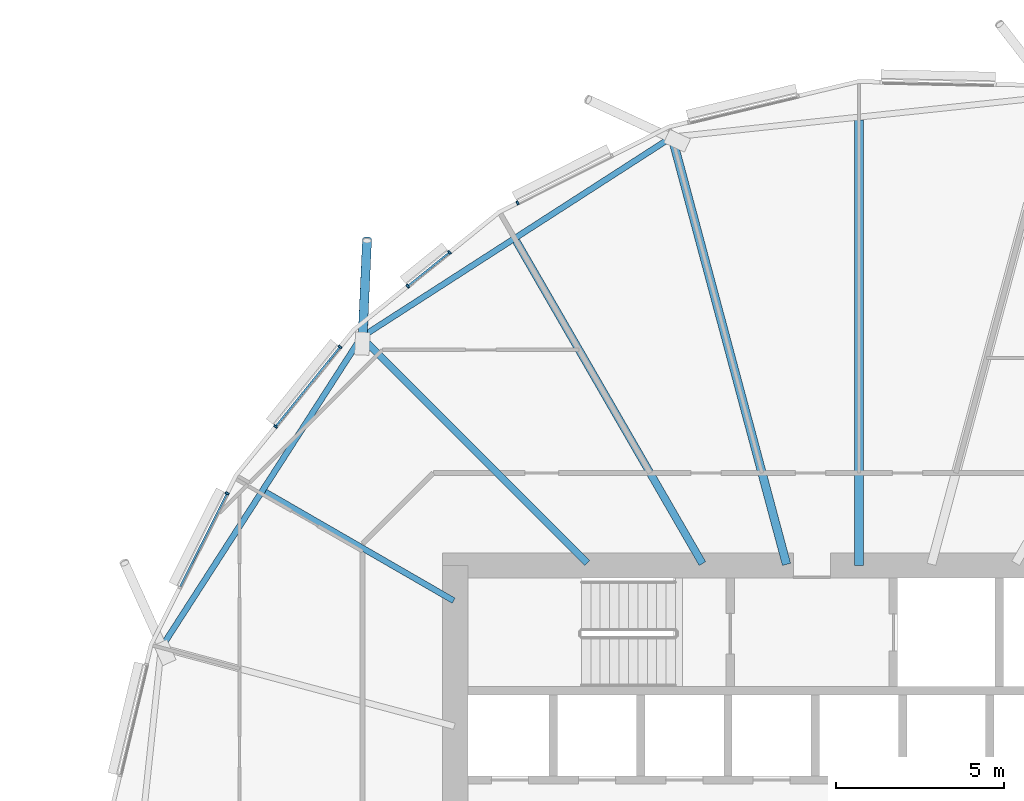
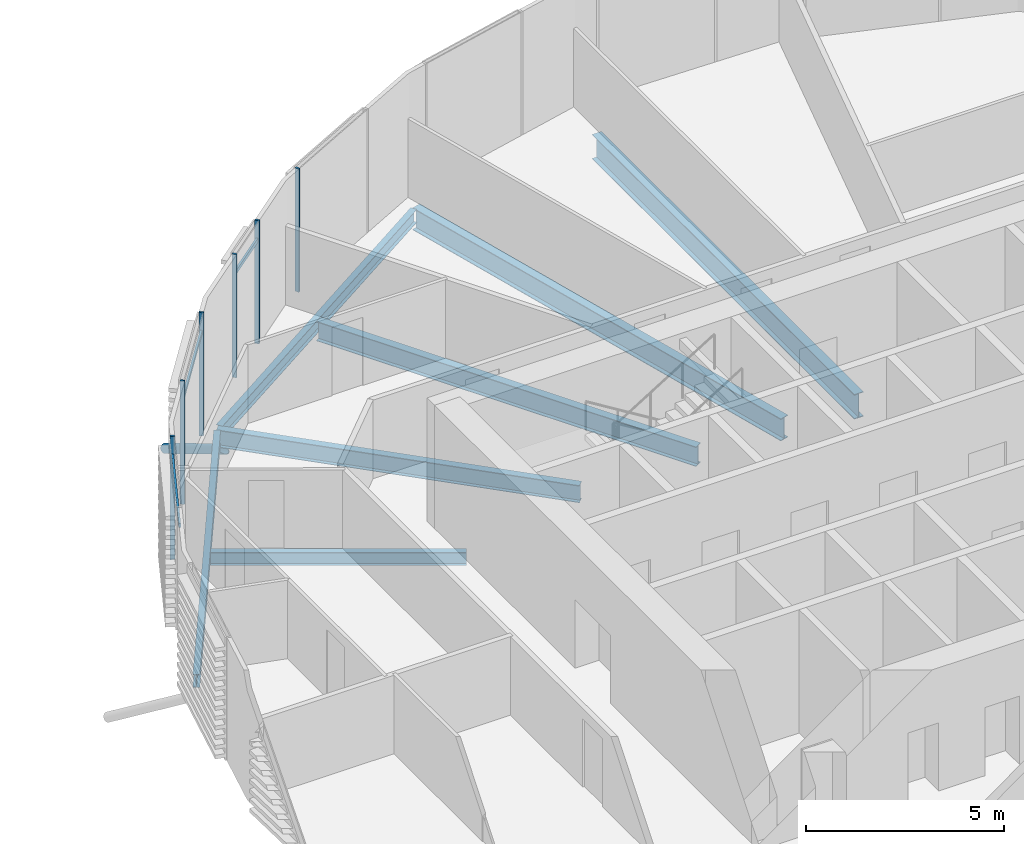
# One storey, part 17 of 42: 10 members, 7 beams, 1 element without a shape of its own.
"""IFC4 building model written with IfcOpenShell, lengths in metres."""

import ifcopenshell
import ifcopenshell.guid

model = None  # the IFC model being written
_history = None  # IfcOwnerHistory: only IFC2X3 demands one
_inside = {}  # id of a spatial element -> (the spatial element, [elements in it])
_under = {}  # id of a project, library or spatial element -> (it, [spatial elements below it])
_declared = {}  # id of a project -> (the project, [libraries it declares])
_typed = {}  # id of a type object -> (the type object, [elements of that type])
_made_of = {}  # id of a material, layer set ... -> (it, [elements and type objects made of it])


def new_model(schema):
    """Start an empty IFC model of exactly this schema.

    Asked for "IFC4X3", IfcOpenShell would pick the latest addendum, in which some entities
    have other attributes; the version numbers below select the first issue.
    IFC2X3 requires an IfcOwnerHistory on every rooted entity: one is made here for all.
    """
    global model, _history
    if schema == "IFC4X3":
        model = ifcopenshell.file(schema_version=(4, 3, 0, 0))
    else:
        model = ifcopenshell.file(schema=schema)
    _inside.clear()
    _under.clear()
    _declared.clear()
    _typed.clear()
    _made_of.clear()
    _history = None
    if model.schema == "IFC2X3":
        org = make("IfcOrganization", Name="unknown")
        user = make(
            "IfcPersonAndOrganization",
            ThePerson=make("IfcPerson", FamilyName="unknown"),
            TheOrganization=org,
        )
        app = make(
            "IfcApplication",
            ApplicationDeveloper=org,
            Version="unknown",
            ApplicationFullName="unknown",
            ApplicationIdentifier="unknown",
        )
        _history = make(
            "IfcOwnerHistory",
            OwningUser=user,
            OwningApplication=app,
            ChangeAction="ADDED",
            CreationDate=0,
        )
    return model


def make(cls, **values):
    """One entity of the class cls with the attributes given. An attribute that is None is left unset."""
    return model.create_entity(
        cls, **{name: value for name, value in values.items() if value is not None}
    )


def rooted(cls, **values):
    """An entity with a GlobalId (a new one), such as an element, a storey or a relation."""
    return make(cls, GlobalId=ifcopenshell.guid.new(), OwnerHistory=_history, **values)


def si_unit(unit_type, name, prefix=None):
    """IfcSIUnit, for example si_unit("LENGTHUNIT", "METRE", prefix="MILLI")."""
    return make("IfcSIUnit", UnitType=unit_type, Prefix=prefix, Name=name)


def assignment(units):
    """IfcUnitAssignment: the units of a project."""
    return None if units is None else make("IfcUnitAssignment", Units=units)


def point(xyz):
    """IfcCartesianPoint."""
    return None if xyz is None else make("IfcCartesianPoint", Coordinates=xyz)


def direction(xyz):
    """IfcDirection."""
    return None if xyz is None else make("IfcDirection", DirectionRatios=xyz)


def frame(location, z_axis=None, x_axis=None):
    """IfcAxis2Placement3D, a coordinate frame: its origin and axes. An axis left out is left unset."""
    return make(
        "IfcAxis2Placement3D",
        Location=point(location),
        Axis=direction(z_axis),
        RefDirection=direction(x_axis),
    )


def frame_2d(location, x_axis=None):
    """IfcAxis2Placement2D, a coordinate frame in the plane: its origin and x axis."""
    return make(
        "IfcAxis2Placement2D", Location=point(location), RefDirection=direction(x_axis)
    )


def origin():
    """The frame at (0, 0, 0) with its axes left unset."""
    return frame((0.0, 0.0, 0.0))


def origin_2d():
    """The frame at (0, 0) in the plane with its x axis left unset."""
    return frame_2d((0.0, 0.0))


def place(relative_to, where):
    """IfcLocalPlacement: puts the frame where relative to a parent placement (None: the world)."""
    return make(
        "IfcLocalPlacement", PlacementRelTo=relative_to, RelativePlacement=where
    )


def context(
    kind, dimensions, precision=None, world=None, true_north=None, identifier=None
):
    """IfcGeometricRepresentationContext, for example the 3D "Model" context."""
    return make(
        "IfcGeometricRepresentationContext",
        ContextIdentifier=identifier,
        ContextType=kind,
        CoordinateSpaceDimension=dimensions,
        Precision=precision,
        WorldCoordinateSystem=world,
        TrueNorth=true_north,
    )


def subcontext(parent, identifier, kind, view, scale=None):
    """IfcGeometricRepresentationSubContext, for example "Body" below "Model"."""
    return make(
        "IfcGeometricRepresentationSubContext",
        ContextIdentifier=identifier,
        ContextType=kind,
        ParentContext=parent,
        TargetScale=scale,
        TargetView=view,
    )


def project(units=None, contexts=None):
    """IfcProject with its units and contexts."""
    return rooted(
        "IfcProject",
        Name="project",
        RepresentationContexts=contexts,
        UnitsInContext=assignment(units),
    )


def spatial(cls, under=None, at=None, **own):
    """A site, building, storey or space (cls), placed at a placement, below another one or the project."""
    s = rooted(cls, ObjectPlacement=at, **own)
    if under is not None:
        _under.setdefault(under.id(), (under, []))[1].append(s)
    return s


def profile(cls, at=None, kind="AREA", **sizes):
    """A parametric profile (cls). Its sizes go by their IFC names, for example OverallWidth=200.0."""
    return make(cls, ProfileType=kind, Position=at, **sizes)


def rectangle(**sizes):
    """IfcRectangleProfileDef."""
    return profile("IfcRectangleProfileDef", **sizes)


def hollow_circle(**sizes):
    """IfcCircleHollowProfileDef."""
    return profile("IfcCircleHollowProfileDef", **sizes)


def i_section(**sizes):
    """IfcIShapeProfileDef."""
    return profile("IfcIShapeProfileDef", **sizes)


def extrude(swept, where, along, depth):
    """IfcExtrudedAreaSolid: the profile swept, set in the frame where, extruded along a direction by depth."""
    return make(
        "IfcExtrudedAreaSolid",
        SweptArea=swept,
        Position=where,
        ExtrudedDirection=direction(along),
        Depth=depth,
    )


def clip(a, b, op="DIFFERENCE"):
    """IfcBooleanClippingResult: the solid a cut by the half space b."""
    return make(
        "IfcBooleanClippingResult", Operator=op, FirstOperand=a, SecondOperand=b
    )


def halfspace(plane, agree):
    """IfcHalfSpaceSolid: all space on one side of the plane z = 0 of the frame plane."""
    return make(
        "IfcHalfSpaceSolid",
        BaseSurface=make("IfcPlane", Position=plane),
        AgreementFlag=agree,
    )


def shape(context_of_items, identifier, shape_type, items):
    """IfcShapeRepresentation: the items that make up one representation, for example the "Body"."""
    return make(
        "IfcShapeRepresentation",
        ContextOfItems=context_of_items,
        RepresentationIdentifier=identifier,
        RepresentationType=shape_type,
        Items=items,
    )


def material(Name=None, Category=None):
    """IfcMaterial."""
    return make("IfcMaterial", Name=Name, Category=Category)


def material_profile(
    of_material, cross_section, Name=None, Category=None, Priority=None
):
    """IfcMaterialProfile: a cross section and its material."""
    return make(
        "IfcMaterialProfile",
        Name=Name,
        Material=of_material,
        Profile=cross_section,
        Priority=Priority,
        Category=Category,
    )


def profile_set(profiles, Name=None, composite=None):
    """IfcMaterialProfileSet."""
    return make(
        "IfcMaterialProfileSet",
        Name=Name,
        MaterialProfiles=profiles,
        CompositeProfile=composite,
    )


def made_of(thing, what):
    """Note that an element or type object is made of a material, layer set ...; save() writes the relation."""
    if what is not None:
        _made_of.setdefault(what.id(), (what, []))[1].append(thing)
    return thing


def type_object(cls, material=None, **own):
    """A type object (cls), such as IfcWallType, which elements share."""
    return made_of(rooted(cls, **own), material)


def element(
    cls,
    number,
    at=None,
    inside=None,
    cuts=None,
    type_object=None,
    material=None,
    context=None,
    identifier="Body",
    shape_type=None,
    held_by="IfcProductDefinitionShape",
    body=None,
    shapes=None,
    **own,
):
    """One element of the class cls, such as IfcWall. Its Tag is "e" and its number.

    at: its placement. inside: the storey or other place that contains it. cuts: it is an
    opening in that element (IfcRelVoidsElement). A single representation is given by context,
    identifier, shape_type and body (its items); several are given by shapes. held_by: the class
    of the entity that holds the representations. save() writes the other relations.
    """
    e = rooted(cls, Tag="e%d" % number, ObjectPlacement=at, **own)
    if body is not None:
        shapes = [shape(context, identifier, shape_type, body)]
    if shapes is not None:
        e.Representation = make(held_by, Representations=shapes)
    if inside is not None:
        _inside.setdefault(inside.id(), (inside, []))[1].append(e)
    if cuts is not None:
        rooted(
            "IfcRelVoidsElement", RelatingBuildingElement=cuts, RelatedOpeningElement=e
        )
    if type_object is not None:
        _typed.setdefault(type_object.id(), (type_object, []))[1].append(e)
    return made_of(e, material)


def aggregate(whole, parts):
    """IfcRelAggregates: a whole, such as a stair, and the parts it consists of."""
    return rooted("IfcRelAggregates", RelatingObject=whole, RelatedObjects=parts)


def save(model, path):
    """Write the relations noted so far, then the file.

    IfcRelAggregates (storeys below a building ...), IfcRelContainedInSpatialStructure (elements
    in a storey), IfcRelDefinesByType, IfcRelAssociatesMaterial and IfcRelDeclares: one each for
    every whole, place, type object, material and project.
    """
    for whole, parts in _under.values():
        aggregate(whole, parts)
    for where, things in _inside.values():
        rooted(
            "IfcRelContainedInSpatialStructure",
            RelatedElements=things,
            RelatingStructure=where,
        )
    for kind, things in _typed.values():
        rooted("IfcRelDefinesByType", RelatedObjects=things, RelatingType=kind)
    for what, things in _made_of.values():
        rooted("IfcRelAssociatesMaterial", RelatedObjects=things, RelatingMaterial=what)
    for by, libraries in _declared.values():
        rooted("IfcRelDeclares", RelatingContext=by, RelatedDefinitions=libraries)
    model.write(path)


model = new_model("IFC4")

# Units and contexts
model_context = context("Model", 3, precision=1e-05, world=origin(), true_north=direction((0.0, 1.0)))
body_context = subcontext(model_context, "Body", "Model", "MODEL_VIEW")
ifc_project = project(units=[si_unit("LENGTHUNIT", "METRE"), si_unit("AREAUNIT", "SQUARE_METRE"), si_unit("VOLUMEUNIT", "CUBIC_METRE"), si_unit("PLANEANGLEUNIT", "RADIAN"), si_unit("MASSUNIT", "GRAM", prefix="KILO")], contexts=[model_context])

# Site, building, storey
site_placement = place(None, origin())
site = spatial("IfcSite", under=ifc_project, at=site_placement, CompositionType="ELEMENT")
building_placement = place(site_placement, origin())
building = spatial("IfcBuilding", under=site, at=building_placement, Name="Rimbun Link Towers", CompositionType="ELEMENT")
storey_placement = place(building_placement, frame((0.0, 0.0, 85.39990234375)))
storey = spatial("IfcBuildingStorey", under=building, at=storey_placement, Name="L20", CompositionType="ELEMENT", Elevation=85.39990234375)

# Curtain wall, members
ifc_material_1 = material(Name="Aluminium 6063-T6 and low-iron glass", Category="aluminium")
curtain_wall_type = type_object("IfcCurtainWallType", Name="CW1-Z2 unitised vision wall (zone 2)", PredefinedType="NOTDEFINED", material=ifc_material_1)
curtain_wall_placement = place(storey_placement, origin())
curtain_wall = element("IfcCurtainWall", 1, at=curtain_wall_placement, inside=storey, type_object=curtain_wall_type, Name="CW1 L20 T2", PredefinedType="NOTDEFINED")
ifc_material_2 = material(Name="Aluminium 6063-T6", Category="aluminium")
ifc_material_profile_1 = material_profile(ifc_material_2, rectangle(XDim=0.1201171875, YDim=0.06005859375, at=origin_2d()), Name="MULLION 60X120")
ifc_profile_set_1 = profile_set([ifc_material_profile_1], Name="Aluminium 6063-T6")
member_type_1 = type_object("IfcMemberType", Name="CW1 mullion 60X120", PredefinedType="MULLION", material=ifc_profile_set_1)
member_1_placement = place(storey_placement, frame((21.603759765625, 18.779052734375, 0.0), z_axis=(0.0, 0.0, 1.0), x_axis=(-0.448789594585, 0.893637454336, 0.0)))
member_1 = element("IfcMember", 2, at=member_1_placement, type_object=member_type_1, Name="CW1 mullion", PredefinedType="MULLION", context=body_context, shape_type="SweptSolid", body=[
    extrude(rectangle(XDim=0.1201171875, YDim=0.06005859375, at=origin_2d()), origin(), (0.0, 0.0, 1.0), 3.800048828125),
])
member_2_placement = place(storey_placement, frame((18.339111328125, 16.302978515625, 0.0), z_axis=(0.0, 0.0, 1.0), x_axis=(-0.629159327388, 0.777276360608, 0.0)))
member_2 = element("IfcMember", 3, at=member_2_placement, type_object=member_type_1, Name="CW1 mullion", PredefinedType="MULLION", context=body_context, shape_type="SweptSolid", body=[
    extrude(rectangle(XDim=0.1201171875, YDim=0.06005859375, at=origin_2d()), origin(), (0.0, 0.0, 1.0), 3.800048828125),
])
member_3_placement = place(storey_placement, frame((19.579833984375, 17.307373046875, 0.0), z_axis=(0.0, 0.0, 1.0), x_axis=(-0.629159327388, 0.777276360608, 0.0)))
member_3 = element("IfcMember", 4, at=member_3_placement, type_object=member_type_1, Name="CW1 mullion", PredefinedType="MULLION", context=body_context, shape_type="SweptSolid", body=[
    extrude(rectangle(XDim=0.1201171875, YDim=0.06005859375, at=origin_2d()), origin(), (0.0, 0.0, 1.0), 3.800048828125),
])
member_4_placement = place(storey_placement, frame((14.4111328125, 12.13134765625, 0.0), z_axis=(0.0, 0.0, 1.0), x_axis=(-0.777276360608, 0.629159327388, 0.0)))
member_4 = element("IfcMember", 5, at=member_4_placement, type_object=member_type_1, Name="CW1 mullion", PredefinedType="MULLION", context=body_context, shape_type="SweptSolid", body=[
    extrude(rectangle(XDim=0.1201171875, YDim=0.06005859375, at=origin_2d()), origin(), (0.0, 0.0, 1.0), 3.800048828125),
])
member_5_placement = place(storey_placement, frame((16.327880859375, 14.4990234375, 0.0), z_axis=(0.0, 0.0, 1.0), x_axis=(-0.777276360608, 0.629159327388, 0.0)))
member_5 = element("IfcMember", 6, at=member_5_placement, type_object=member_type_1, Name="CW1 mullion", PredefinedType="MULLION", context=body_context, shape_type="SweptSolid", body=[
    extrude(rectangle(XDim=0.1201171875, YDim=0.06005859375, at=origin_2d()), origin(), (0.0, 0.0, 1.0), 3.800048828125),
])
member_6_placement = place(storey_placement, frame((12.970947265625, 10.146240234375, 0.0), z_axis=(0.0, 0.0, 1.0), x_axis=(-0.893637454336, 0.448789594585, 0.0)))
member_6 = element("IfcMember", 7, at=member_6_placement, type_object=member_type_1, Name="CW1 mullion", PredefinedType="MULLION", context=body_context, shape_type="SweptSolid", body=[
    extrude(rectangle(XDim=0.1201171875, YDim=0.06005859375, at=origin_2d()), origin(), (0.0, 0.0, 1.0), 3.800048828125),
])
ifc_material_3 = material(Name="Aluminium 6063-T6", Category="aluminium")
ifc_material_profile_2 = material_profile(ifc_material_3, rectangle(XDim=0.06005859375, YDim=0.1201171875, at=origin_2d()), Name="TRANSOM 60X120")
ifc_profile_set_2 = profile_set([ifc_material_profile_2], Name="Aluminium 6063-T6")
member_type_2 = type_object("IfcMemberType", Name="CW1 transom 60X120", PredefinedType="USERDEFINED", material=ifc_profile_set_2)
member_7_placement = place(storey_placement, frame((18.363525390625, 16.3203125, 3.2001953125), z_axis=(0.777337372411, 0.62908394468, 0.0), x_axis=(-0.62908394468, 0.777337372411, 0.0)))
member_7 = element("IfcMember", 8, at=member_7_placement, type_object=member_type_2, Name="CW1 transom", ObjectType="TRANSOM", PredefinedType="USERDEFINED", context=body_context, shape_type="SweptSolid", body=[
    extrude(rectangle(XDim=0.06005859375, YDim=0.1201171875, at=origin_2d()), origin(), (0.0, 0.0, 1.0), 1.536376953125),
])
member_8_placement = place(storey_placement, frame((14.431640625, 12.1533203125, 3.2001953125), z_axis=(0.629151193031, 0.77728294482, 0.0), x_axis=(-0.77728294482, 0.629151193031, 0.0)))
member_8 = element("IfcMember", 9, at=member_8_placement, type_object=member_type_2, Name="CW1 transom", ObjectType="TRANSOM", PredefinedType="USERDEFINED", context=body_context, shape_type="SweptSolid", body=[
    extrude(rectangle(XDim=0.06005859375, YDim=0.1201171875, at=origin_2d()), origin(), (0.0, 0.0, 1.0), 2.986328125),
])
member_9_placement = place(storey_placement, frame((11.58056640625, 7.373291015625, 3.2001953125), z_axis=(0.448770541337, 0.893647022727, 0.0), x_axis=(-0.893647022727, 0.448770541337, 0.0)))
member_9 = element("IfcMember", 10, at=member_9_placement, type_object=member_type_2, Name="CW1 transom", ObjectType="TRANSOM", PredefinedType="USERDEFINED", context=body_context, shape_type="SweptSolid", body=[
    extrude(rectangle(XDim=0.06005859375, YDim=0.1201171875, at=origin_2d()), origin(), (0.0, 0.0, 1.0), 3.072021484375),
])
aggregate(curtain_wall, [member_1, member_2, member_3, member_4, member_5, member_6, member_7, member_8, member_9])

# Member
ifc_material_4 = material(Name="Steel S355J2H", Category="steel")
ifc_material_profile_3 = material_profile(ifc_material_4, hollow_circle(Radius=0.136474609375, WallThickness=0.012451171875, at=origin_2d()), Name="CHS 273x12.5")
ifc_profile_set_3 = profile_set([ifc_material_profile_3], Name="Steel S355J2H")
member_type_3 = type_object("IfcMemberType", Name="Floor edge link CHS 273x12.5", PredefinedType="BRACE", material=ifc_profile_set_3)
member_10_placement = place(storey_placement, frame((16.99658203125, 14.75341796875, -0.8095703125), z_axis=(0.038546716403, 0.851204688034, -0.523416401848), x_axis=(-0.998976213421, 0.045238534671, 0.0)))
element("IfcMember", 11, at=member_10_placement, inside=storey, type_object=member_type_3, Name="Floor edge link T2 L20 06", PredefinedType="BRACE", context=body_context, shape_type="Clipping", body=[
    clip(extrude(hollow_circle(Radius=0.136474609375, WallThickness=0.012451171875, at=origin_2d()), frame((0.0, 0.0, -0.46337890625)), (0.0, 0.0, 1.0), 3.921630859375), halfspace(frame((0.0, 0.0, -0.218994140625), z_axis=(0.0, 0.852077033065, -0.523416401848)), False)),
])

# Beams
ifc_material_5 = material(Name="Steel S355J2", Category="steel")
ifc_material_profile_4 = material_profile(ifc_material_5, i_section(OverallWidth=0.177978515625, OverallDepth=0.406494140625, WebThickness=0.0078125, FlangeThickness=0.0126953125, at=origin_2d()), Name="UB 406x178x60")
ifc_profile_set_4 = profile_set([ifc_material_profile_4], Name="Steel S355J2")
beam_type_1 = type_object("IfcBeamType", Name="UB 406x178x60", PredefinedType="BEAM", material=ifc_profile_set_4)
beam_1_placement = place(storey_placement, frame((19.70458984375, 6.954345703125, -0.363037109375), z_axis=(-0.866015843605, 0.50001655835, 0.0), x_axis=(-0.50001655835, -0.866015843605, 0.0)))
element("IfcBeam", 12, at=beam_1_placement, inside=storey, type_object=beam_type_1, Name="Radial beam T2 L20 07", PredefinedType="BEAM", context=body_context, shape_type="SweptSolid", body=[
    extrude(i_section(OverallWidth=0.177978515625, OverallDepth=0.406494140625, WebThickness=0.0078125, FlangeThickness=0.0126953125, at=origin_2d()), origin(), (0.0, 0.0, 1.0), 6.467041015625),
])
beam_2_placement = place(storey_placement, frame((26.080810546875, 20.664306640625, -0.363037109375), z_axis=(-0.840641870287, -0.541591401262, 0.0), x_axis=(0.541591401262, -0.840641870287, 0.0)))
element("IfcBeam", 13, at=beam_2_placement, inside=storey, type_object=beam_type_1, Name="Edge beam T2 L20 04-06", PredefinedType="BEAM", context=body_context, shape_type="SweptSolid", body=[
    extrude(i_section(OverallWidth=0.177978515625, OverallDepth=0.406494140625, WebThickness=0.0078125, FlangeThickness=0.0126953125, at=origin_2d()), origin(), (0.0, 0.0, 1.0), 10.740478515625),
])
beam_3_placement = place(storey_placement, frame((16.902587890625, 14.697998046875, -0.363037109375), z_axis=(-0.541605976333, -0.840632479982, 0.0), x_axis=(0.840632479982, -0.541605976333, 0.0)))
element("IfcBeam", 14, at=beam_3_placement, inside=storey, type_object=beam_type_1, Name="Edge beam T2 L20 06-08", PredefinedType="BEAM", context=body_context, shape_type="SweptSolid", body=[
    extrude(i_section(OverallWidth=0.177978515625, OverallDepth=0.406494140625, WebThickness=0.0078125, FlangeThickness=0.0126953125, at=origin_2d()), origin(), (0.0, 0.0, 1.0), 10.77392578125),
])
ifc_material_6 = material(Name="Steel S355J2", Category="steel")
ifc_material_profile_5 = material_profile(ifc_material_6, i_section(OverallWidth=0.209228515625, OverallDepth=0.533203125, WebThickness=0.010009765625, FlangeThickness=0.015625, at=origin_2d()), Name="UB 533x210x92")
ifc_profile_set_5 = profile_set([ifc_material_profile_5], Name="Steel S355J2")
beam_type_2 = type_object("IfcBeamType", Name="UB 533x210x92", PredefinedType="BEAM", material=ifc_profile_set_5)
beam_4_placement = place(storey_placement, frame((23.67529296875, 8.07470703125, -0.426513671875), z_axis=(-0.707106781187, 0.707106781187, 0.0), x_axis=(-0.707106781187, -0.707106781187, 0.0)))
element("IfcBeam", 15, at=beam_4_placement, inside=storey, type_object=beam_type_2, Name="Radial beam T2 L20 06", PredefinedType="BEAM", context=body_context, shape_type="SweptSolid", body=[
    extrude(i_section(OverallWidth=0.209228515625, OverallDepth=0.533203125, WebThickness=0.010009765625, FlangeThickness=0.015625, at=origin_2d()), origin(), (0.0, 0.0, 1.0), 9.4951171875),
])
ifc_material_7 = material(Name="Steel S355J2", Category="steel")
ifc_material_profile_6 = material_profile(ifc_material_7, i_section(OverallWidth=0.2275390625, OverallDepth=0.6025390625, WebThickness=0.010498046875, FlangeThickness=0.014892578125, at=origin_2d()), Name="UB 610x229x101")
ifc_profile_set_6 = profile_set([ifc_material_profile_6], Name="Steel S355J2")
beam_type_3 = type_object("IfcBeamType", Name="UB 610x229x101", PredefinedType="BEAM", material=ifc_profile_set_6)
beam_5_placement = place(storey_placement, frame((27.097900390625, 8.057861328125, -0.461181640625), z_axis=(-0.500011955224, 0.866018501323, 0.0), x_axis=(-0.866018501323, -0.500011955224, 0.0)))
element("IfcBeam", 16, at=beam_5_placement, inside=storey, type_object=beam_type_3, Name="Radial beam T2 L20 05", PredefinedType="BEAM", context=body_context, shape_type="SweptSolid", body=[
    extrude(i_section(OverallWidth=0.2275390625, OverallDepth=0.6025390625, WebThickness=0.010498046875, FlangeThickness=0.014892578125, at=origin_2d()), origin(), (0.0, 0.0, 1.0), 11.071533203125),
])
ifc_material_8 = material(Name="Steel S355J2", Category="steel")
ifc_material_profile_7 = material_profile(ifc_material_8, i_section(OverallWidth=0.253662109375, OverallDepth=0.68359375, WebThickness=0.012451171875, FlangeThickness=0.01904296875, at=origin_2d()), Name="UB 686x254x140")
ifc_profile_set_7 = profile_set([ifc_material_profile_7], Name="Steel S355J2")
beam_type_4 = type_object("IfcBeamType", Name="UB 686x254x140", PredefinedType="BEAM", material=ifc_profile_set_7)
beam_6_placement = place(storey_placement, frame((29.597412109375, 8.03369140625, -0.501708984375), z_axis=(-0.258815575349, 0.965926756, 0.0), x_axis=(-0.965926756, -0.258815575349, 0.0)))
element("IfcBeam", 17, at=beam_6_placement, inside=storey, type_object=beam_type_4, Name="Radial beam T2 L20 04", PredefinedType="BEAM", context=body_context, shape_type="SweptSolid", body=[
    extrude(i_section(OverallWidth=0.253662109375, OverallDepth=0.68359375, WebThickness=0.012451171875, FlangeThickness=0.01904296875, at=origin_2d()), origin(), (0.0, 0.0, 1.0), 13.1513671875),
])
ifc_material_9 = material(Name="Steel S355J2", Category="steel")
ifc_material_profile_8 = material_profile(ifc_material_9, i_section(OverallWidth=0.2666015625, OverallDepth=0.76220703125, WebThickness=0.014404296875, FlangeThickness=0.021484375, at=origin_2d()), Name="UB 762x267x173")
ifc_profile_set_8 = profile_set([ifc_material_profile_8], Name="Steel S355J2")
beam_type_5 = type_object("IfcBeamType", Name="UB 762x267x173", PredefinedType="BEAM", material=ifc_profile_set_8)
beam_7_placement = place(storey_placement, frame((31.75, 8.0009765625, -0.541015625), z_axis=(0.0, 1.0, 0.0), x_axis=(-1.0, 0.0, 0.0)))
element("IfcBeam", 18, at=beam_7_placement, inside=storey, type_object=beam_type_5, Name="Radial beam T2 L20 03", PredefinedType="BEAM", context=body_context, shape_type="SweptSolid", body=[
    extrude(i_section(OverallWidth=0.2666015625, OverallDepth=0.76220703125, WebThickness=0.014404296875, FlangeThickness=0.021484375, at=origin_2d()), origin(), (0.0, 0.0, 1.0), 13.23681640625),
])

save(model, "model.ifc")
